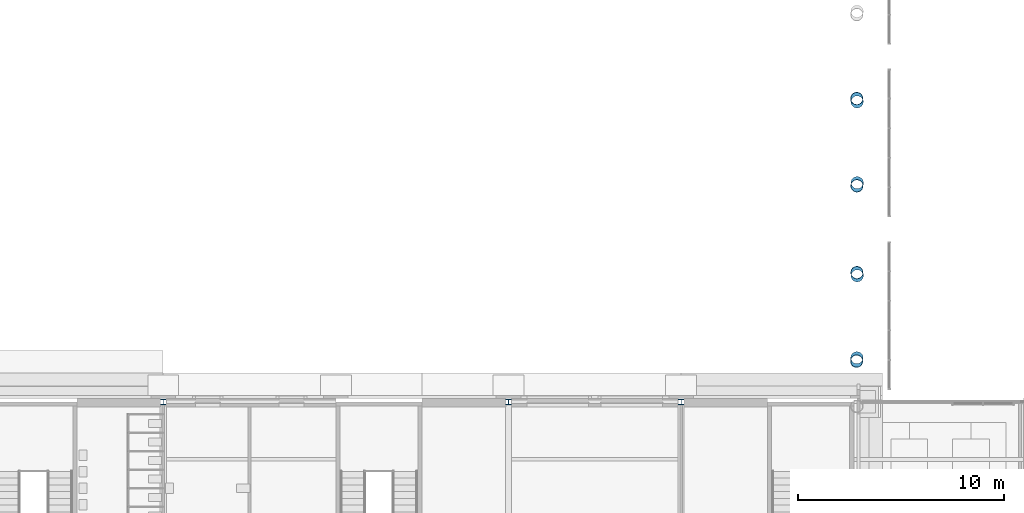
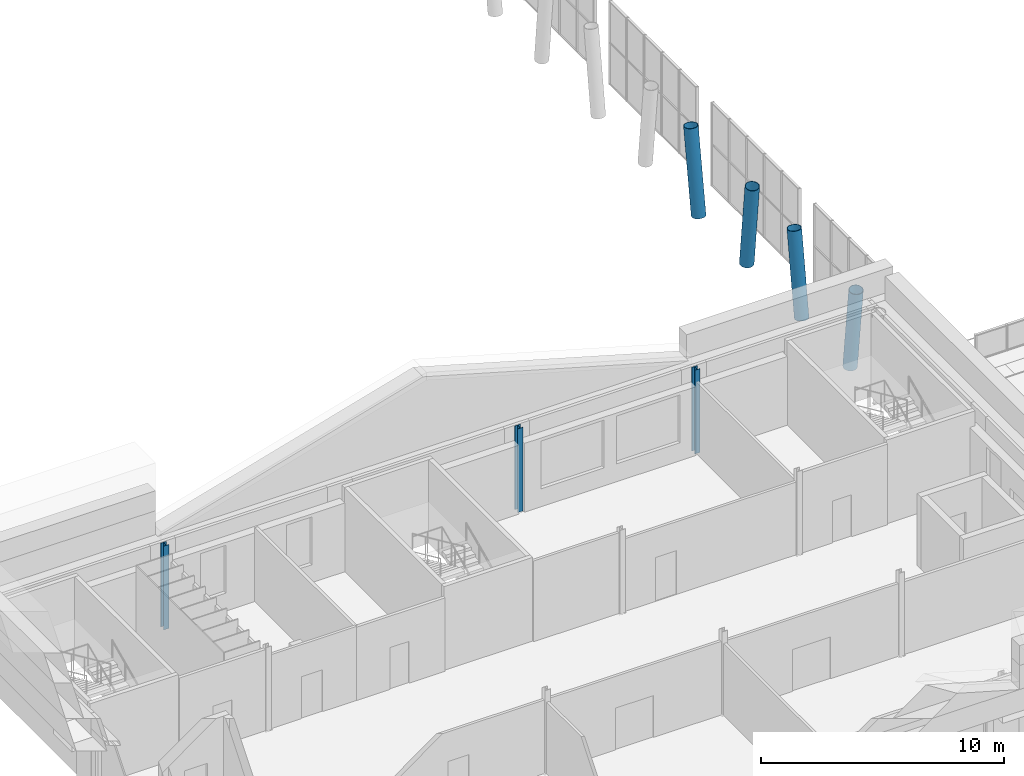
# One storey, part 3 of 76: 7 columns.
"""IFC4 building model written with IfcOpenShell, lengths in metres."""

from ifc_helpers import new_model, si_unit, direction, frame, origin, origin_2d, place, context, subcontext, project, spatial, hollow_circle, i_section, extrude, material, material_profile, profile_set, type_object, element, save


model = new_model("IFC4")

# Units and contexts
model_context = context("Model", 3, precision=1e-05, world=origin(), true_north=direction((0.0, 1.0)))
body_context = subcontext(model_context, "Body", "Model", "MODEL_VIEW")
ifc_project = project(units=[si_unit("LENGTHUNIT", "METRE"), si_unit("AREAUNIT", "SQUARE_METRE"), si_unit("VOLUMEUNIT", "CUBIC_METRE"), si_unit("PLANEANGLEUNIT", "RADIAN"), si_unit("MASSUNIT", "GRAM", prefix="KILO")], contexts=[model_context])

# Site, building, storey
site_placement = place(None, origin())
site = spatial("IfcSite", under=ifc_project, at=site_placement, CompositionType="ELEMENT")
building_placement = place(site_placement, origin())
building = spatial("IfcBuilding", under=site, at=building_placement, Name="Sava Quay Ferry Terminal", CompositionType="ELEMENT")
storey_placement = place(building_placement, frame((0.0, 0.0, 10.800048828125)))
storey = spatial("IfcBuildingStorey", under=building, at=storey_placement, Name="L02", CompositionType="ELEMENT", Elevation=10.800048828125)

# Columns
ifc_material_1 = material(Name="Steel S355", Category="steel")
ifc_material_profile_1 = material_profile(ifc_material_1, i_section(OverallWidth=0.260009765625, OverallDepth=0.260009765625, WebThickness=0.010009765625, FlangeThickness=0.017578125, at=origin_2d()), Name="HE 260 B")
ifc_profile_set_1 = profile_set([ifc_material_profile_1], Name="Steel S355")
column_type_1 = type_object("IfcColumnType", Name="Column HE 260 B", PredefinedType="COLUMN", material=ifc_profile_set_1)
for number, where, z_axis, x_axis, name in (
    (1, (8.39990234375, 50.39990234375, 0.0), (0.0, 0.0, 1.0), (1.0, 0.0, 0.0), "Column L02 8.4/50.4"),
    (2, (25.199951171875, 50.39990234375, 0.0), (0.0, 0.0, 1.0), (1.0, 0.0, 0.0), "Column L02 25.2/50.4"),
    (3, (33.60009765625, 50.39990234375, 0.0), (0.0, 0.0, 1.0), (1.0, 0.0, 0.0), "Column L02 33.6/50.4"),
):
    element("IfcColumn", number, at=place(storey_placement, frame(where, z_axis=z_axis, x_axis=x_axis)), inside=storey, type_object=column_type_1, Name=name, PredefinedType="COLUMN", context=body_context, shape_type="SweptSolid", body=[
        extrude(i_section(OverallWidth=0.260009765625, OverallDepth=0.260009765625, WebThickness=0.010009765625, FlangeThickness=0.017578125, at=origin_2d()), origin(), (0.0, 0.0, 1.0), 4.199951171875),
    ])
ifc_material_2 = material(Name="Steel S355", Category="steel")
ifc_material_profile_2 = material_profile(ifc_material_2, hollow_circle(Radius=0.304931640625, WallThickness=0.02001953125, at=origin_2d()), Name="CHS 610 x 20.0")
ifc_profile_set_2 = profile_set([ifc_material_profile_2], Name="Steel S355")
column_type_2 = type_object("IfcColumnType", Name="V column CHS 610x20", PredefinedType="COLUMN", material=ifc_profile_set_2)
column_1_placement = place(storey_placement, frame((42.15283203125, 52.539306640625, 0.0), z_axis=(-0.012036191598, -0.135450347549, 0.990711024185), x_axis=(0.996075130263, -0.088511778157, 0.0)))
element("IfcColumn", 4, at=column_1_placement, inside=storey, type_object=column_type_2, Name="Departure hall V column D-VL0b part 3", PredefinedType="COLUMN", context=body_context, shape_type="SweptSolid", body=[
    extrude(hollow_circle(Radius=0.304931640625, WallThickness=0.02001953125, at=origin_2d()), origin(), (0.0, 0.0, 1.0), 4.2392578125),
])
for number, where, z_axis, x_axis, name in (
    (5, (42.16552734375, 56.543212890625, 0.0), (-0.010955904333, 0.125992899832, 0.991970643392), (-0.996240588196, -0.086629616365, 0.0), "Departure hall V column D-VL1a part 3"),
    (6, (42.16552734375, 61.056884765625, 0.0), (-0.01095582472, -0.126049646519, 0.991963435071), (0.996244007594, -0.086590284283, 0.0), "Departure hall V column D-VL1b part 3"),
):
    element("IfcColumn", number, at=place(storey_placement, frame(where, z_axis=z_axis, x_axis=x_axis)), inside=storey, type_object=column_type_2, Name=name, PredefinedType="COLUMN", context=body_context, shape_type="SweptSolid", body=[
        extrude(hollow_circle(Radius=0.304931640625, WallThickness=0.02001953125, at=origin_2d()), origin(), (0.0, 0.0, 1.0), 4.23388671875),
    ])
column_2_placement = place(storey_placement, frame((42.16015625, 65.005859375, 0.0), z_axis=(-0.011409621586, 0.131037775182, 0.991311717882), x_axis=(-0.99623071841, -0.086743044083, 0.0)))
element("IfcColumn", 7, at=column_2_placement, inside=storey, type_object=column_type_2, Name="Departure hall V column D-VL2a part 3", PredefinedType="COLUMN", context=body_context, shape_type="SweptSolid", body=[
    extrude(hollow_circle(Radius=0.304931640625, WallThickness=0.02001953125, at=origin_2d()), origin(), (0.0, 0.0, 1.0), 4.23681640625),
])

save(model, "model.ifc")
